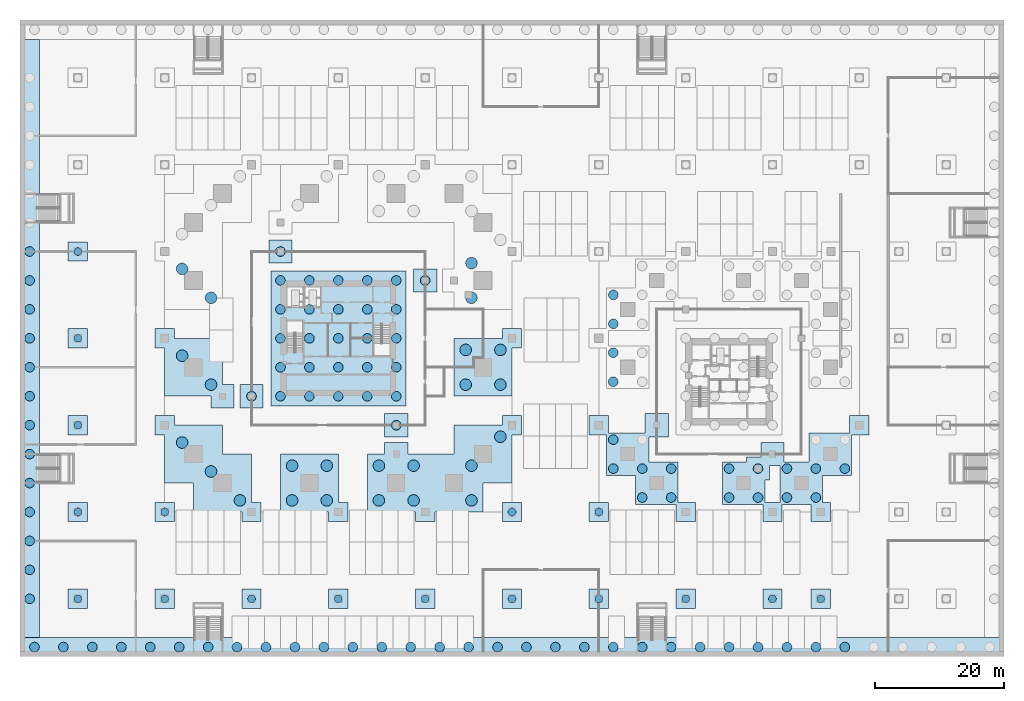
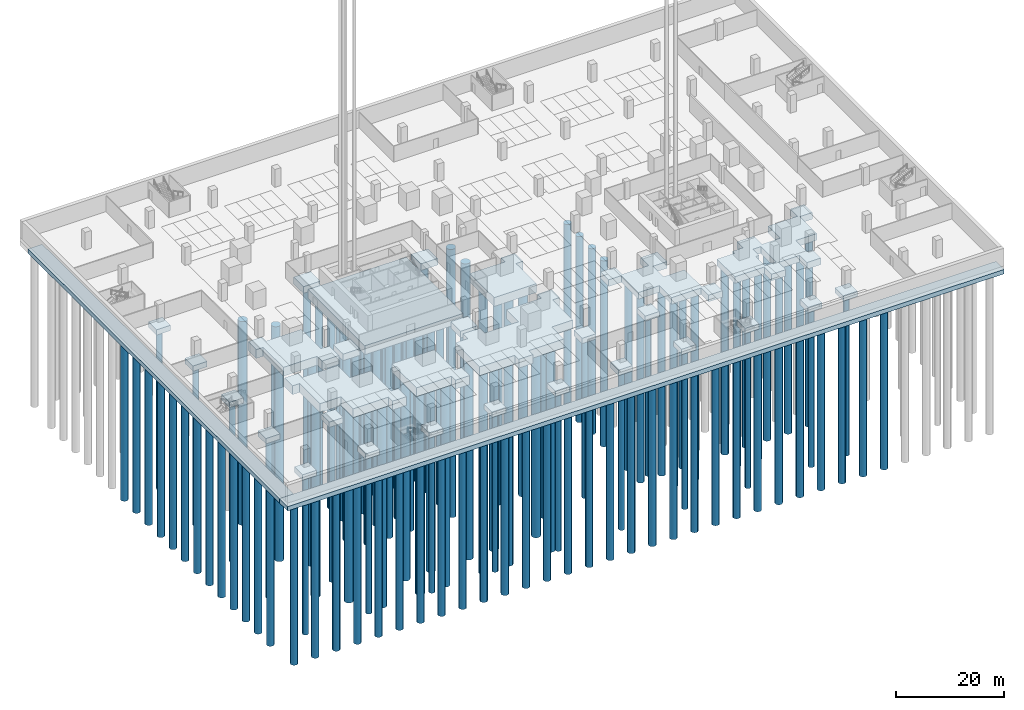
# One storey, part 1 of 40: 131 piles, 31 footings.
"""IFC4 building model written with IfcOpenShell, lengths in metres."""

import ifcopenshell
import ifcopenshell.guid

model = None  # the IFC model being written
_history = None  # IfcOwnerHistory: only IFC2X3 demands one
_inside = {}  # id of a spatial element -> (the spatial element, [elements in it])
_under = {}  # id of a project, library or spatial element -> (it, [spatial elements below it])
_declared = {}  # id of a project -> (the project, [libraries it declares])
_typed = {}  # id of a type object -> (the type object, [elements of that type])
_made_of = {}  # id of a material, layer set ... -> (it, [elements and type objects made of it])


def new_model(schema):
    """Start an empty IFC model of exactly this schema.

    Asked for "IFC4X3", IfcOpenShell would pick the latest addendum, in which some entities
    have other attributes; the version numbers below select the first issue.
    IFC2X3 requires an IfcOwnerHistory on every rooted entity: one is made here for all.
    """
    global model, _history
    if schema == "IFC4X3":
        model = ifcopenshell.file(schema_version=(4, 3, 0, 0))
    else:
        model = ifcopenshell.file(schema=schema)
    _inside.clear()
    _under.clear()
    _declared.clear()
    _typed.clear()
    _made_of.clear()
    _history = None
    if model.schema == "IFC2X3":
        org = make("IfcOrganization", Name="unknown")
        user = make(
            "IfcPersonAndOrganization",
            ThePerson=make("IfcPerson", FamilyName="unknown"),
            TheOrganization=org,
        )
        app = make(
            "IfcApplication",
            ApplicationDeveloper=org,
            Version="unknown",
            ApplicationFullName="unknown",
            ApplicationIdentifier="unknown",
        )
        _history = make(
            "IfcOwnerHistory",
            OwningUser=user,
            OwningApplication=app,
            ChangeAction="ADDED",
            CreationDate=0,
        )
    return model


def make(cls, **values):
    """One entity of the class cls with the attributes given. An attribute that is None is left unset."""
    return model.create_entity(
        cls, **{name: value for name, value in values.items() if value is not None}
    )


def rooted(cls, **values):
    """An entity with a GlobalId (a new one), such as an element, a storey or a relation."""
    return make(cls, GlobalId=ifcopenshell.guid.new(), OwnerHistory=_history, **values)


def si_unit(unit_type, name, prefix=None):
    """IfcSIUnit, for example si_unit("LENGTHUNIT", "METRE", prefix="MILLI")."""
    return make("IfcSIUnit", UnitType=unit_type, Prefix=prefix, Name=name)


def assignment(units):
    """IfcUnitAssignment: the units of a project."""
    return None if units is None else make("IfcUnitAssignment", Units=units)


def point(xyz):
    """IfcCartesianPoint."""
    return None if xyz is None else make("IfcCartesianPoint", Coordinates=xyz)


def direction(xyz):
    """IfcDirection."""
    return None if xyz is None else make("IfcDirection", DirectionRatios=xyz)


def frame(location, z_axis=None, x_axis=None):
    """IfcAxis2Placement3D, a coordinate frame: its origin and axes. An axis left out is left unset."""
    return make(
        "IfcAxis2Placement3D",
        Location=point(location),
        Axis=direction(z_axis),
        RefDirection=direction(x_axis),
    )


def frame_2d(location, x_axis=None):
    """IfcAxis2Placement2D, a coordinate frame in the plane: its origin and x axis."""
    return make(
        "IfcAxis2Placement2D", Location=point(location), RefDirection=direction(x_axis)
    )


def origin():
    """The frame at (0, 0, 0) with its axes left unset."""
    return frame((0.0, 0.0, 0.0))


def origin_2d():
    """The frame at (0, 0) in the plane with its x axis left unset."""
    return frame_2d((0.0, 0.0))


def place(relative_to, where):
    """IfcLocalPlacement: puts the frame where relative to a parent placement (None: the world)."""
    return make(
        "IfcLocalPlacement", PlacementRelTo=relative_to, RelativePlacement=where
    )


def context(
    kind, dimensions, precision=None, world=None, true_north=None, identifier=None
):
    """IfcGeometricRepresentationContext, for example the 3D "Model" context."""
    return make(
        "IfcGeometricRepresentationContext",
        ContextIdentifier=identifier,
        ContextType=kind,
        CoordinateSpaceDimension=dimensions,
        Precision=precision,
        WorldCoordinateSystem=world,
        TrueNorth=true_north,
    )


def subcontext(parent, identifier, kind, view, scale=None):
    """IfcGeometricRepresentationSubContext, for example "Body" below "Model"."""
    return make(
        "IfcGeometricRepresentationSubContext",
        ContextIdentifier=identifier,
        ContextType=kind,
        ParentContext=parent,
        TargetScale=scale,
        TargetView=view,
    )


def project(units=None, contexts=None):
    """IfcProject with its units and contexts."""
    return rooted(
        "IfcProject",
        Name="project",
        RepresentationContexts=contexts,
        UnitsInContext=assignment(units),
    )


def spatial(cls, under=None, at=None, **own):
    """A site, building, storey or space (cls), placed at a placement, below another one or the project."""
    s = rooted(cls, ObjectPlacement=at, **own)
    if under is not None:
        _under.setdefault(under.id(), (under, []))[1].append(s)
    return s


def polyline(points):
    """IfcPolyline through the points."""
    return make("IfcPolyline", Points=[point(p) for p in points])


def profile(cls, at=None, kind="AREA", **sizes):
    """A parametric profile (cls). Its sizes go by their IFC names, for example OverallWidth=200.0."""
    return make(cls, ProfileType=kind, Position=at, **sizes)


def circle(**sizes):
    """IfcCircleProfileDef."""
    return profile("IfcCircleProfileDef", **sizes)


def outline(outer, holes=None, kind="AREA"):
    """IfcArbitraryClosedProfileDef: a profile drawn as a closed curve; with holes, ...WithVoids."""
    if holes is None:
        return make("IfcArbitraryClosedProfileDef", ProfileType=kind, OuterCurve=outer)
    return make(
        "IfcArbitraryProfileDefWithVoids",
        ProfileType=kind,
        OuterCurve=outer,
        InnerCurves=holes,
    )


def extrude(swept, where, along, depth):
    """IfcExtrudedAreaSolid: the profile swept, set in the frame where, extruded along a direction by depth."""
    return make(
        "IfcExtrudedAreaSolid",
        SweptArea=swept,
        Position=where,
        ExtrudedDirection=direction(along),
        Depth=depth,
    )


def shape(context_of_items, identifier, shape_type, items):
    """IfcShapeRepresentation: the items that make up one representation, for example the "Body"."""
    return make(
        "IfcShapeRepresentation",
        ContextOfItems=context_of_items,
        RepresentationIdentifier=identifier,
        RepresentationType=shape_type,
        Items=items,
    )


def material(Name=None, Category=None):
    """IfcMaterial."""
    return make("IfcMaterial", Name=Name, Category=Category)


def layer(
    of_material, thickness, ventilated=None, Name=None, Category=None, Priority=None
):
    """IfcMaterialLayer: one layer of a wall or slab, of a material (None: an air gap)."""
    return make(
        "IfcMaterialLayer",
        Material=of_material,
        LayerThickness=thickness,
        IsVentilated=ventilated,
        Name=Name,
        Category=Category,
        Priority=Priority,
    )


def layer_set(layers, Name=None):
    """IfcMaterialLayerSet."""
    return make("IfcMaterialLayerSet", MaterialLayers=layers, LayerSetName=Name)


def material_profile(
    of_material, cross_section, Name=None, Category=None, Priority=None
):
    """IfcMaterialProfile: a cross section and its material."""
    return make(
        "IfcMaterialProfile",
        Name=Name,
        Material=of_material,
        Profile=cross_section,
        Priority=Priority,
        Category=Category,
    )


def profile_set(profiles, Name=None, composite=None):
    """IfcMaterialProfileSet."""
    return make(
        "IfcMaterialProfileSet",
        Name=Name,
        MaterialProfiles=profiles,
        CompositeProfile=composite,
    )


def made_of(thing, what):
    """Note that an element or type object is made of a material, layer set ...; save() writes the relation."""
    if what is not None:
        _made_of.setdefault(what.id(), (what, []))[1].append(thing)
    return thing


def type_object(cls, material=None, **own):
    """A type object (cls), such as IfcWallType, which elements share."""
    return made_of(rooted(cls, **own), material)


def element(
    cls,
    number,
    at=None,
    inside=None,
    cuts=None,
    type_object=None,
    material=None,
    context=None,
    identifier="Body",
    shape_type=None,
    held_by="IfcProductDefinitionShape",
    body=None,
    shapes=None,
    **own,
):
    """One element of the class cls, such as IfcWall. Its Tag is "e" and its number.

    at: its placement. inside: the storey or other place that contains it. cuts: it is an
    opening in that element (IfcRelVoidsElement). A single representation is given by context,
    identifier, shape_type and body (its items); several are given by shapes. held_by: the class
    of the entity that holds the representations. save() writes the other relations.
    """
    e = rooted(cls, Tag="e%d" % number, ObjectPlacement=at, **own)
    if body is not None:
        shapes = [shape(context, identifier, shape_type, body)]
    if shapes is not None:
        e.Representation = make(held_by, Representations=shapes)
    if inside is not None:
        _inside.setdefault(inside.id(), (inside, []))[1].append(e)
    if cuts is not None:
        rooted(
            "IfcRelVoidsElement", RelatingBuildingElement=cuts, RelatedOpeningElement=e
        )
    if type_object is not None:
        _typed.setdefault(type_object.id(), (type_object, []))[1].append(e)
    return made_of(e, material)


def aggregate(whole, parts):
    """IfcRelAggregates: a whole, such as a stair, and the parts it consists of."""
    return rooted("IfcRelAggregates", RelatingObject=whole, RelatedObjects=parts)


def save(model, path):
    """Write the relations noted so far, then the file.

    IfcRelAggregates (storeys below a building ...), IfcRelContainedInSpatialStructure (elements
    in a storey), IfcRelDefinesByType, IfcRelAssociatesMaterial and IfcRelDeclares: one each for
    every whole, place, type object, material and project.
    """
    for whole, parts in _under.values():
        aggregate(whole, parts)
    for where, things in _inside.values():
        rooted(
            "IfcRelContainedInSpatialStructure",
            RelatedElements=things,
            RelatingStructure=where,
        )
    for kind, things in _typed.values():
        rooted("IfcRelDefinesByType", RelatedObjects=things, RelatingType=kind)
    for what, things in _made_of.values():
        rooted("IfcRelAssociatesMaterial", RelatedObjects=things, RelatingMaterial=what)
    for by, libraries in _declared.values():
        rooted("IfcRelDeclares", RelatingContext=by, RelatedDefinitions=libraries)
    model.write(path)


model = new_model("IFC4")

# Units and contexts
model_context = context("Model", 3, precision=1e-05, world=origin(), true_north=direction((0.0, 1.0)))
body_context = subcontext(model_context, "Body", "Model", "MODEL_VIEW")
ifc_project = project(units=[si_unit("LENGTHUNIT", "METRE"), si_unit("AREAUNIT", "SQUARE_METRE"), si_unit("VOLUMEUNIT", "CUBIC_METRE"), si_unit("PLANEANGLEUNIT", "RADIAN"), si_unit("MASSUNIT", "GRAM", prefix="KILO")], contexts=[model_context])

# Site, building, storey
site_placement = place(None, origin())
site = spatial("IfcSite", under=ifc_project, at=site_placement, CompositionType="ELEMENT")
building_placement = place(site_placement, origin())
building = spatial("IfcBuilding", under=site, at=building_placement, Name="Altepetl Exchange Towers", CompositionType="ELEMENT")
storey_placement = place(building_placement, frame((0.0, 0.0, -8.0)))
storey = spatial("IfcBuildingStorey", under=building, at=storey_placement, Name="B2 Basement parking", CompositionType="ELEMENT", Elevation=-8.0)

# Piles
ifc_material = material(Name="Concrete C35/45", Category="concrete")
ifc_material_profile_1 = material_profile(ifc_material, circle(Radius=0.60009765625, at=origin_2d()), Name="D1200")
ifc_profile_set_1 = profile_set([ifc_material_profile_1], Name="Concrete C35/45")
pile_type_1 = type_object("IfcPileType", Name="Bored pile D1200", PredefinedType="BORED", material=ifc_profile_set_1)
for number, where, z_axis, x_axis, name in (
    (1, (9.0, 9.0, -2.0), (0.0, 0.0, -1.0), (1.0, 0.0, 0.0), "pile:P:B2:c00900090-00"),
    (2, (9.0, 22.5, -2.0), (0.0, 0.0, -1.0), (1.0, 0.0, 0.0), "pile:P:B2:c00900225-00"),
    (3, (9.0, 36.0, -2.0), (0.0, 0.0, -1.0), (1.0, 0.0, 0.0), "pile:P:B2:c00900360-00"),
    (4, (9.0, 49.5, -2.0), (0.0, 0.0, -1.0), (1.0, 0.0, 0.0), "pile:P:B2:c00900495-00"),
    (5, (9.0, 63.0, -2.0), (0.0, 0.0, -1.0), (1.0, 0.0, 0.0), "pile:P:B2:c00900630-00"),
    (6, (22.5, 9.0, -2.0), (0.0, 0.0, -1.0), (1.0, 0.0, 0.0), "pile:P:B2:c02250090-00"),
    (7, (22.5, 22.5, -3.0), (0.0, 0.0, -1.0), (1.0, 0.0, 0.0), "pile:A:B2:c02250225-00"),
    (8, (36.0, 9.0, -2.0), (0.0, 0.0, -1.0), (1.0, 0.0, 0.0), "pile:P:B2:c03600090-00"),
    (9, (49.5, 9.0, -2.0), (0.0, 0.0, -1.0), (1.0, 0.0, 0.0), "pile:P:B2:c04950090-00"),
    (10, (63.0, 9.0, -2.0), (0.0, 0.0, -1.0), (1.0, 0.0, 0.0), "pile:P:B2:c06300090-00"),
    (11, (76.5, 9.0, -2.0), (0.0, 0.0, -1.0), (1.0, 0.0, 0.0), "pile:P:B2:c07650090-00"),
    (12, (76.5, 22.5, -3.0), (0.0, 0.0, -1.0), (1.0, 0.0, 0.0), "pile:A:B2:c07650225-00"),
    (13, (90.0, 9.0, -2.0), (0.0, 0.0, -1.0), (1.0, 0.0, 0.0), "pile:P:B2:c09000090-00"),
    (14, (90.0, 22.5, -2.699951171875), (0.0, 0.0, -1.0), (1.0, 0.0, 0.0), "pile:B:B2:c09000225-00"),
    (15, (103.5, 9.0, -2.0), (0.0, 0.0, -1.0), (1.0, 0.0, 0.0), "pile:P:B2:c10350090-00"),
    (16, (117.0, 9.0, -2.0), (0.0, 0.0, -1.0), (1.0, 0.0, 0.0), "pile:P:B2:c11700090-00"),
    (17, (124.5, 9.0, -2.0), (0.0, 0.0, -1.0), (1.0, 0.0, 0.0), "pile:P:B2:c12450090-00"),
):
    element("IfcPile", number, at=place(storey_placement, frame(where, z_axis=z_axis, x_axis=x_axis)), inside=storey, type_object=pile_type_1, Name=name, PredefinedType="BORED", context=body_context, shape_type="SweptSolid", body=[
        extrude(circle(Radius=0.60009765625, at=origin_2d()), origin(), (0.0, 0.0, 1.0), 36.0),
    ])
ifc_material_profile_2 = material_profile(ifc_material, circle(Radius=0.75, at=origin_2d()), Name="D1500")
ifc_profile_set_2 = profile_set([ifc_material_profile_2], Name="Concrete C35/45")
pile_type_2 = type_object("IfcPileType", Name="Bored pile D1500", PredefinedType="BORED", material=ifc_profile_set_2)
for number, where, z_axis, x_axis, name in (
    (18, (36.0, 40.5, -3.300048828125), (0.0, 0.0, -1.0), (1.0, 0.0, 0.0), "pile:A:B2:c03600405-00"),
    (19, (40.5, 63.0, -3.300048828125), (0.0, 0.0, -1.0), (1.0, 0.0, 0.0), "pile:A:B2:c04050630-00"),
    (20, (58.5, 36.0, -3.300048828125), (0.0, 0.0, -1.0), (1.0, 0.0, 0.0), "pile:A:B2:c05850360-00"),
    (21, (63.0, 58.5, -3.300048828125), (0.0, 0.0, -1.0), (1.0, 0.0, 0.0), "pile:A:B2:c06300585-00"),
    (22, (92.25, 29.25, -3.0), (0.0, 0.0, -1.0), (1.0, 0.0, 0.0), "pile:B:B2:c09000360-00"),
    (23, (92.25, 33.75, -3.0), (0.0, 0.0, -1.0), (1.0, 0.0, 0.0), "pile:B:B2:c09000360-01"),
    (24, (96.75, 24.75, -3.0), (0.0, 0.0, -1.0), (1.0, 0.0, 0.0), "pile:B:B2:c09000360-02"),
    (25, (96.75, 29.25, -3.0), (0.0, 0.0, -1.0), (1.0, 0.0, 0.0), "pile:B:B2:c09000360-03"),
    (26, (101.25, 24.75, -3.0), (0.0, 0.0, -1.0), (1.0, 0.0, 0.0), "pile:B:B2:c09000360-05"),
    (27, (101.25, 29.25, -3.0), (0.0, 0.0, -1.0), (1.0, 0.0, 0.0), "pile:B:B2:c09000360-06"),
    (28, (92.25, 42.75, -3.0), (0.0, 0.0, -1.0), (1.0, 0.0, 0.0), "pile:B:B2:c09000495-00"),
    (29, (92.25, 47.25, -3.0), (0.0, 0.0, -1.0), (1.0, 0.0, 0.0), "pile:B:B2:c09000495-01"),
    (30, (92.25, 51.75, -3.0), (0.0, 0.0, -1.0), (1.0, 0.0, 0.0), "pile:B:B2:c09000495-02"),
    (31, (92.25, 56.25, -3.0), (0.0, 0.0, -1.0), (1.0, 0.0, 0.0), "pile:B:B2:c09000495-03"),
    (32, (110.25, 24.75, -3.0), (0.0, 0.0, -1.0), (1.0, 0.0, 0.0), "pile:B:B2:c11250270-00"),
    (33, (110.25, 29.25, -3.0), (0.0, 0.0, -1.0), (1.0, 0.0, 0.0), "pile:B:B2:c11250270-01"),
    (34, (114.75, 24.75, -3.0), (0.0, 0.0, -1.0), (1.0, 0.0, 0.0), "pile:B:B2:c11250270-02"),
    (35, (114.75, 29.25, -3.0), (0.0, 0.0, -1.0), (1.0, 0.0, 0.0), "pile:B:B2:c11250270-03"),
    (36, (119.25, 24.75, -3.0), (0.0, 0.0, -1.0), (1.0, 0.0, 0.0), "pile:B:B2:c11250270-04"),
    (37, (119.25, 29.25, -3.0), (0.0, 0.0, -1.0), (1.0, 0.0, 0.0), "pile:B:B2:c11250270-05"),
    (38, (123.75, 24.75, -3.0), (0.0, 0.0, -1.0), (1.0, 0.0, 0.0), "pile:B:B2:c11250270-06"),
    (39, (123.75, 29.25, -3.0), (0.0, 0.0, -1.0), (1.0, 0.0, 0.0), "pile:B:B2:c11250270-07"),
    (40, (128.25, 29.25, -3.0), (0.0, 0.0, -1.0), (1.0, 0.0, 0.0), "pile:B:B2:c11250270-09"),
):
    element("IfcPile", number, at=place(storey_placement, frame(where, z_axis=z_axis, x_axis=x_axis)), inside=storey, type_object=pile_type_2, Name=name, PredefinedType="BORED", context=body_context, shape_type="SweptSolid", body=[
        extrude(circle(Radius=0.75, at=origin_2d()), origin(), (0.0, 0.0, 1.0), 42.0),
    ])
for number, where, z_axis, x_axis, name in (
    (41, (40.5, 40.5, -3.800048828125), (0.0, 0.0, -1.0), (1.0, 0.0, 0.0), "pile:A:B2:core-00"),
    (42, (40.5, 45.0, -3.800048828125), (0.0, 0.0, -1.0), (1.0, 0.0, 0.0), "pile:A:B2:core-01"),
    (43, (40.5, 49.5, -3.800048828125), (0.0, 0.0, -1.0), (1.0, 0.0, 0.0), "pile:A:B2:core-02"),
    (44, (40.5, 54.0, -3.800048828125), (0.0, 0.0, -1.0), (1.0, 0.0, 0.0), "pile:A:B2:core-03"),
    (45, (40.5, 58.5, -3.800048828125), (0.0, 0.0, -1.0), (1.0, 0.0, 0.0), "pile:A:B2:core-04"),
    (46, (45.0, 40.5, -3.800048828125), (0.0, 0.0, -1.0), (1.0, 0.0, 0.0), "pile:A:B2:core-05"),
    (47, (45.0, 45.0, -3.800048828125), (0.0, 0.0, -1.0), (1.0, 0.0, 0.0), "pile:A:B2:core-06"),
    (48, (45.0, 49.5, -3.800048828125), (0.0, 0.0, -1.0), (1.0, 0.0, 0.0), "pile:A:B2:core-07"),
    (49, (45.0, 54.0, -3.800048828125), (0.0, 0.0, -1.0), (1.0, 0.0, 0.0), "pile:A:B2:core-08"),
    (50, (45.0, 58.5, -3.800048828125), (0.0, 0.0, -1.0), (1.0, 0.0, 0.0), "pile:A:B2:core-09"),
    (51, (49.5, 40.5, -3.800048828125), (0.0, 0.0, -1.0), (1.0, 0.0, 0.0), "pile:A:B2:core-10"),
    (52, (49.5, 45.0, -3.800048828125), (0.0, 0.0, -1.0), (1.0, 0.0, 0.0), "pile:A:B2:core-11"),
    (53, (49.5, 49.5, -3.800048828125), (0.0, 0.0, -1.0), (1.0, 0.0, 0.0), "pile:A:B2:core-12"),
    (54, (49.5, 54.0, -3.800048828125), (0.0, 0.0, -1.0), (1.0, 0.0, 0.0), "pile:A:B2:core-13"),
    (55, (49.5, 58.5, -3.800048828125), (0.0, 0.0, -1.0), (1.0, 0.0, 0.0), "pile:A:B2:core-14"),
    (56, (54.0, 40.5, -3.800048828125), (0.0, 0.0, -1.0), (1.0, 0.0, 0.0), "pile:A:B2:core-15"),
    (57, (54.0, 45.0, -3.800048828125), (0.0, 0.0, -1.0), (1.0, 0.0, 0.0), "pile:A:B2:core-16"),
    (58, (54.0, 49.5, -3.800048828125), (0.0, 0.0, -1.0), (1.0, 0.0, 0.0), "pile:A:B2:core-17"),
    (59, (54.0, 54.0, -3.800048828125), (0.0, 0.0, -1.0), (1.0, 0.0, 0.0), "pile:A:B2:core-18"),
    (60, (54.0, 58.5, -3.800048828125), (0.0, 0.0, -1.0), (1.0, 0.0, 0.0), "pile:A:B2:core-19"),
    (61, (58.5, 40.5, -3.800048828125), (0.0, 0.0, -1.0), (1.0, 0.0, 0.0), "pile:A:B2:core-20"),
    (62, (58.5, 45.0, -3.800048828125), (0.0, 0.0, -1.0), (1.0, 0.0, 0.0), "pile:A:B2:core-21"),
    (63, (58.5, 49.5, -3.800048828125), (0.0, 0.0, -1.0), (1.0, 0.0, 0.0), "pile:A:B2:core-22"),
    (64, (58.5, 54.0, -3.800048828125), (0.0, 0.0, -1.0), (1.0, 0.0, 0.0), "pile:A:B2:core-23"),
    (65, (58.5, 58.5, -3.800048828125), (0.0, 0.0, -1.0), (1.0, 0.0, 0.0), "pile:A:B2:core-24"),
):
    element("IfcPile", number, at=place(storey_placement, frame(where, z_axis=z_axis, x_axis=x_axis)), inside=storey, type_object=pile_type_2, Name=name, PredefinedType="BORED", context=body_context, shape_type="SweptSolid", body=[
        extrude(circle(Radius=0.75, at=origin_2d()), origin(), (0.0, 0.0, 1.0), 44.0),
    ])
for number, where, z_axis, x_axis, name in (
    (66, (2.25, 1.5, -1.800048828125), (0.0, 0.0, -1.0), (1.0, 0.0, 0.0), "pile:P:B2:wallS-00"),
    (67, (6.75, 1.5, -1.800048828125), (0.0, 0.0, -1.0), (1.0, 0.0, 0.0), "pile:P:B2:wallS-01"),
    (68, (11.25, 1.5, -1.800048828125), (0.0, 0.0, -1.0), (1.0, 0.0, 0.0), "pile:P:B2:wallS-02"),
    (69, (15.75, 1.5, -1.800048828125), (0.0, 0.0, -1.0), (1.0, 0.0, 0.0), "pile:P:B2:wallS-03"),
    (70, (20.25, 1.5, -1.800048828125), (0.0, 0.0, -1.0), (1.0, 0.0, 0.0), "pile:P:B2:wallS-04"),
    (71, (24.75, 1.5, -1.800048828125), (0.0, 0.0, -1.0), (1.0, 0.0, 0.0), "pile:P:B2:wallS-05"),
    (72, (29.25, 1.5, -1.800048828125), (0.0, 0.0, -1.0), (1.0, 0.0, 0.0), "pile:P:B2:wallS-06"),
    (73, (33.75, 1.5, -1.800048828125), (0.0, 0.0, -1.0), (1.0, 0.0, 0.0), "pile:P:B2:wallS-07"),
    (74, (38.25, 1.5, -1.800048828125), (0.0, 0.0, -1.0), (1.0, 0.0, 0.0), "pile:P:B2:wallS-08"),
    (75, (42.75, 1.5, -1.800048828125), (0.0, 0.0, -1.0), (1.0, 0.0, 0.0), "pile:P:B2:wallS-09"),
    (76, (47.25, 1.5, -1.800048828125), (0.0, 0.0, -1.0), (1.0, 0.0, 0.0), "pile:P:B2:wallS-10"),
    (77, (51.75, 1.5, -1.800048828125), (0.0, 0.0, -1.0), (1.0, 0.0, 0.0), "pile:P:B2:wallS-11"),
    (78, (56.25, 1.5, -1.800048828125), (0.0, 0.0, -1.0), (1.0, 0.0, 0.0), "pile:P:B2:wallS-12"),
    (79, (60.75, 1.5, -1.800048828125), (0.0, 0.0, -1.0), (1.0, 0.0, 0.0), "pile:P:B2:wallS-13"),
    (80, (65.25, 1.5, -1.800048828125), (0.0, 0.0, -1.0), (1.0, 0.0, 0.0), "pile:P:B2:wallS-14"),
    (81, (69.75, 1.5, -1.800048828125), (0.0, 0.0, -1.0), (1.0, 0.0, 0.0), "pile:P:B2:wallS-15"),
    (82, (74.25, 1.5, -1.800048828125), (0.0, 0.0, -1.0), (1.0, 0.0, 0.0), "pile:P:B2:wallS-16"),
    (83, (78.75, 1.5, -1.800048828125), (0.0, 0.0, -1.0), (1.0, 0.0, 0.0), "pile:P:B2:wallS-17"),
    (84, (83.25, 1.5, -1.800048828125), (0.0, 0.0, -1.0), (1.0, 0.0, 0.0), "pile:P:B2:wallS-18"),
    (85, (87.75, 1.5, -1.800048828125), (0.0, 0.0, -1.0), (1.0, 0.0, 0.0), "pile:P:B2:wallS-19"),
    (86, (92.25, 1.5, -1.800048828125), (0.0, 0.0, -1.0), (1.0, 0.0, 0.0), "pile:P:B2:wallS-20"),
    (87, (96.75, 1.5, -1.800048828125), (0.0, 0.0, -1.0), (1.0, 0.0, 0.0), "pile:P:B2:wallS-21"),
    (88, (101.25, 1.5, -1.800048828125), (0.0, 0.0, -1.0), (1.0, 0.0, 0.0), "pile:P:B2:wallS-22"),
    (89, (105.75, 1.5, -1.800048828125), (0.0, 0.0, -1.0), (1.0, 0.0, 0.0), "pile:P:B2:wallS-23"),
    (90, (110.25, 1.5, -1.800048828125), (0.0, 0.0, -1.0), (1.0, 0.0, 0.0), "pile:P:B2:wallS-24"),
    (91, (114.75, 1.5, -1.800048828125), (0.0, 0.0, -1.0), (1.0, 0.0, 0.0), "pile:P:B2:wallS-25"),
    (92, (119.25, 1.5, -1.800048828125), (0.0, 0.0, -1.0), (1.0, 0.0, 0.0), "pile:P:B2:wallS-26"),
    (93, (123.75, 1.5, -1.800048828125), (0.0, 0.0, -1.0), (1.0, 0.0, 0.0), "pile:P:B2:wallS-27"),
    (94, (128.25, 1.5, -1.800048828125), (0.0, 0.0, -1.0), (1.0, 0.0, 0.0), "pile:P:B2:wallS-28"),
    (95, (1.5, 9.0, -1.800048828125), (0.0, 0.0, -1.0), (1.0, 0.0, 0.0), "pile:P:B2:wallW-01"),
    (96, (1.5, 13.5, -1.800048828125), (0.0, 0.0, -1.0), (1.0, 0.0, 0.0), "pile:P:B2:wallW-02"),
    (97, (1.5, 18.0, -1.800048828125), (0.0, 0.0, -1.0), (1.0, 0.0, 0.0), "pile:P:B2:wallW-03"),
    (98, (1.5, 22.5, -1.800048828125), (0.0, 0.0, -1.0), (1.0, 0.0, 0.0), "pile:P:B2:wallW-04"),
    (99, (1.5, 27.0, -1.800048828125), (0.0, 0.0, -1.0), (1.0, 0.0, 0.0), "pile:P:B2:wallW-05"),
    (100, (1.5, 31.5, -1.800048828125), (0.0, 0.0, -1.0), (1.0, 0.0, 0.0), "pile:P:B2:wallW-06"),
    (101, (1.5, 36.0, -1.800048828125), (0.0, 0.0, -1.0), (1.0, 0.0, 0.0), "pile:P:B2:wallW-07"),
    (102, (1.5, 40.5, -1.800048828125), (0.0, 0.0, -1.0), (1.0, 0.0, 0.0), "pile:P:B2:wallW-08"),
    (103, (1.5, 45.0, -1.800048828125), (0.0, 0.0, -1.0), (1.0, 0.0, 0.0), "pile:P:B2:wallW-09"),
    (104, (1.5, 49.5, -1.800048828125), (0.0, 0.0, -1.0), (1.0, 0.0, 0.0), "pile:P:B2:wallW-10"),
    (105, (1.5, 54.0, -1.800048828125), (0.0, 0.0, -1.0), (1.0, 0.0, 0.0), "pile:P:B2:wallW-11"),
    (106, (1.5, 58.5, -1.800048828125), (0.0, 0.0, -1.0), (1.0, 0.0, 0.0), "pile:P:B2:wallW-12"),
    (107, (1.5, 63.0, -1.800048828125), (0.0, 0.0, -1.0), (1.0, 0.0, 0.0), "pile:P:B2:wallW-13"),
):
    element("IfcPile", number, at=place(storey_placement, frame(where, z_axis=z_axis, x_axis=x_axis)), inside=storey, type_object=pile_type_2, Name=name, PredefinedType="BORED", context=body_context, shape_type="SweptSolid", body=[
        extrude(circle(Radius=0.75, at=origin_2d()), origin(), (0.0, 0.0, 1.0), 36.0),
    ])
ifc_material_profile_3 = material_profile(ifc_material, circle(Radius=0.89990234375, at=origin_2d()), Name="D1800")
ifc_profile_set_3 = profile_set([ifc_material_profile_3], Name="Concrete C35/45")
pile_type_3 = type_object("IfcPileType", Name="Bored pile D1800", PredefinedType="BORED", material=ifc_profile_set_3)
for number, where, z_axis, x_axis, name in (
    (108, (25.199951171875, 33.300048828125, -3.800048828125), (0.0, 0.0, -1.0), (1.0, 0.0, 0.0), "pile:A:B2:c02250360-00"),
    (109, (29.699951171875, 28.800048828125, -3.800048828125), (0.0, 0.0, -1.0), (1.0, 0.0, 0.0), "pile:A:B2:c02250360-01"),
    (110, (34.199951171875, 24.300048828125, -3.800048828125), (0.0, 0.0, -1.0), (1.0, 0.0, 0.0), "pile:A:B2:c02250360-02"),
    (111, (25.199951171875, 46.800048828125, -3.800048828125), (0.0, 0.0, -1.0), (1.0, 0.0, 0.0), "pile:A:B2:c02250495-00"),
    (112, (29.699951171875, 42.300048828125, -3.800048828125), (0.0, 0.0, -1.0), (1.0, 0.0, 0.0), "pile:A:B2:c02250495-01"),
    (113, (25.199951171875, 60.300048828125, -3.800048828125), (0.0, 0.0, -1.0), (1.0, 0.0, 0.0), "pile:A:B2:c02250630-00"),
    (114, (29.699951171875, 55.800048828125, -3.800048828125), (0.0, 0.0, -1.0), (1.0, 0.0, 0.0), "pile:A:B2:c02250630-02"),
    (115, (42.300048828125, 24.300048828125, -3.800048828125), (0.0, 0.0, -1.0), (1.0, 0.0, 0.0), "pile:A:B2:c04500270-00"),
    (116, (42.300048828125, 29.699951171875, -3.800048828125), (0.0, 0.0, -1.0), (1.0, 0.0, 0.0), "pile:A:B2:c04500270-01"),
    (117, (47.699951171875, 24.300048828125, -3.800048828125), (0.0, 0.0, -1.0), (1.0, 0.0, 0.0), "pile:A:B2:c04500270-02"),
    (118, (47.699951171875, 29.699951171875, -3.800048828125), (0.0, 0.0, -1.0), (1.0, 0.0, 0.0), "pile:A:B2:c04500270-03"),
    (119, (55.800048828125, 24.300048828125, -3.800048828125), (0.0, 0.0, -1.0), (1.0, 0.0, 0.0), "pile:A:B2:c05850270-00"),
    (120, (55.800048828125, 29.699951171875, -3.800048828125), (0.0, 0.0, -1.0), (1.0, 0.0, 0.0), "pile:A:B2:c05850270-01"),
    (121, (61.199951171875, 24.300048828125, -3.800048828125), (0.0, 0.0, -1.0), (1.0, 0.0, 0.0), "pile:A:B2:c05850270-02"),
    (122, (61.199951171875, 29.699951171875, -3.800048828125), (0.0, 0.0, -1.0), (1.0, 0.0, 0.0), "pile:A:B2:c05850270-03"),
    (123, (70.199951171875, 24.300048828125, -3.800048828125), (0.0, 0.0, -1.0), (1.0, 0.0, 0.0), "pile:A:B2:c05850270-04"),
    (124, (70.199951171875, 29.699951171875, -3.800048828125), (0.0, 0.0, -1.0), (1.0, 0.0, 0.0), "pile:A:B2:c05850270-05"),
    (125, (74.699951171875, 34.199951171875, -3.800048828125), (0.0, 0.0, -1.0), (1.0, 0.0, 0.0), "pile:A:B2:c05850270-06"),
    (126, (70.199951171875, 55.800048828125, -3.800048828125), (0.0, 0.0, -1.0), (1.0, 0.0, 0.0), "pile:A:B2:c05850720-04"),
    (127, (70.199951171875, 61.199951171875, -3.800048828125), (0.0, 0.0, -1.0), (1.0, 0.0, 0.0), "pile:A:B2:c05850720-05"),
    (128, (69.300048828125, 42.300048828125, -3.800048828125), (0.0, 0.0, -1.0), (1.0, 0.0, 0.0), "pile:A:B2:c07200450-00"),
    (129, (69.300048828125, 47.699951171875, -3.800048828125), (0.0, 0.0, -1.0), (1.0, 0.0, 0.0), "pile:A:B2:c07200450-01"),
    (130, (74.699951171875, 42.300048828125, -3.800048828125), (0.0, 0.0, -1.0), (1.0, 0.0, 0.0), "pile:A:B2:c07200450-02"),
    (131, (74.699951171875, 47.699951171875, -3.800048828125), (0.0, 0.0, -1.0), (1.0, 0.0, 0.0), "pile:A:B2:c07200450-03"),
):
    element("IfcPile", number, at=place(storey_placement, frame(where, z_axis=z_axis, x_axis=x_axis)), inside=storey, type_object=pile_type_3, Name=name, PredefinedType="BORED", context=body_context, shape_type="SweptSolid", body=[
        extrude(circle(Radius=0.89990234375, at=origin_2d()), origin(), (0.0, 0.0, 1.0), 46.0),
    ])

# Footings
ifc_layer_1 = layer(ifc_material, 1.0)
ifc_layer_set_1 = layer_set([ifc_layer_1], Name="Concrete C35/45")
footing_type_1 = type_object("IfcFootingType", Name="Pile cap 1000", PredefinedType="PILE_CAP", material=ifc_layer_set_1)
footing_1_placement = place(storey_placement, frame((0.0, 0.0, -1.800048828125)))
element("IfcFooting", 132, at=footing_1_placement, inside=storey, type_object=footing_type_1, Name="ftg:P:B2:wallS", PredefinedType="PILE_CAP", context=body_context, shape_type="SweptSolid", body=[
    extrude(outline(polyline([(153.0, 0.0), (153.0, 3.0), (0.0, 3.0), (0.0, 0.0), (153.0, 0.0)])), origin(), (0.0, 0.0, 1.0), 1.0),
])
footing_2_placement = place(storey_placement, frame((0.0, 0.0, -1.800048828125)))
element("IfcFooting", 133, at=footing_2_placement, inside=storey, type_object=footing_type_1, Name="ftg:P:B2:wallW", PredefinedType="PILE_CAP", context=body_context, shape_type="SweptSolid", body=[
    extrude(outline(polyline([(3.0, 3.0), (3.0, 96.0), (0.0, 96.0), (0.0, 3.0), (3.0, 3.0)])), origin(), (0.0, 0.0, 1.0), 1.0),
])
ifc_layer_2 = layer(ifc_material, 1.199951171875)
ifc_layer_set_2 = layer_set([ifc_layer_2], Name="Concrete C35/45")
footing_type_2 = type_object("IfcFootingType", Name="Pile cap 1200", PredefinedType="PILE_CAP", material=ifc_layer_set_2)
footing_3_placement = place(storey_placement, frame((0.0, 0.0, -2.0)))
element("IfcFooting", 134, at=footing_3_placement, inside=storey, type_object=footing_type_2, Name="ftg:P:B2:c00900090", PredefinedType="PILE_CAP", context=body_context, shape_type="SweptSolid", body=[
    extrude(outline(polyline([(10.5, 7.5), (10.5, 10.5), (7.5, 10.5), (7.5, 7.5), (10.5, 7.5)])), origin(), (0.0, 0.0, 1.0), 1.199951171875),
])
footing_4_placement = place(storey_placement, frame((0.0, 0.0, -2.0)))
element("IfcFooting", 135, at=footing_4_placement, inside=storey, type_object=footing_type_2, Name="ftg:P:B2:c00900225", PredefinedType="PILE_CAP", context=body_context, shape_type="SweptSolid", body=[
    extrude(outline(polyline([(10.5, 21.0), (10.5, 24.0), (7.5, 24.0), (7.5, 21.0), (10.5, 21.0)])), origin(), (0.0, 0.0, 1.0), 1.199951171875),
])
footing_5_placement = place(storey_placement, frame((0.0, 0.0, -2.0)))
element("IfcFooting", 136, at=footing_5_placement, inside=storey, type_object=footing_type_2, Name="ftg:P:B2:c00900360", PredefinedType="PILE_CAP", context=body_context, shape_type="SweptSolid", body=[
    extrude(outline(polyline([(10.5, 34.5), (10.5, 37.5), (7.5, 37.5), (7.5, 34.5), (10.5, 34.5)])), origin(), (0.0, 0.0, 1.0), 1.199951171875),
])
footing_6_placement = place(storey_placement, frame((0.0, 0.0, -2.0)))
element("IfcFooting", 137, at=footing_6_placement, inside=storey, type_object=footing_type_2, Name="ftg:P:B2:c00900495", PredefinedType="PILE_CAP", context=body_context, shape_type="SweptSolid", body=[
    extrude(outline(polyline([(10.5, 48.0), (10.5, 51.0), (7.5, 51.0), (7.5, 48.0), (10.5, 48.0)])), origin(), (0.0, 0.0, 1.0), 1.199951171875),
])
footing_7_placement = place(storey_placement, frame((0.0, 0.0, -2.0)))
element("IfcFooting", 138, at=footing_7_placement, inside=storey, type_object=footing_type_2, Name="ftg:P:B2:c00900630", PredefinedType="PILE_CAP", context=body_context, shape_type="SweptSolid", body=[
    extrude(outline(polyline([(10.5, 61.5), (10.5, 64.5), (7.5, 64.5), (7.5, 61.5), (10.5, 61.5)])), origin(), (0.0, 0.0, 1.0), 1.199951171875),
])
footing_8_placement = place(storey_placement, frame((0.0, 0.0, -2.0)))
element("IfcFooting", 139, at=footing_8_placement, inside=storey, type_object=footing_type_2, Name="ftg:P:B2:c02250090", PredefinedType="PILE_CAP", context=body_context, shape_type="SweptSolid", body=[
    extrude(outline(polyline([(24.0, 7.5), (24.0, 10.5), (21.0, 10.5), (21.0, 7.5), (24.0, 7.5)])), origin(), (0.0, 0.0, 1.0), 1.199951171875),
])
footing_9_placement = place(storey_placement, frame((0.0, 0.0, -3.0)))
element("IfcFooting", 140, at=footing_9_placement, inside=storey, type_object=footing_type_2, Name="ftg:A:B2:c02250225", PredefinedType="PILE_CAP", context=body_context, shape_type="SweptSolid", body=[
    extrude(outline(polyline([(24.0, 21.0), (24.0, 24.0), (21.0, 24.0), (21.0, 21.0), (24.0, 21.0)])), origin(), (0.0, 0.0, 1.0), 1.199951171875),
])
footing_10_placement = place(storey_placement, frame((0.0, 0.0, -2.0)))
element("IfcFooting", 141, at=footing_10_placement, inside=storey, type_object=footing_type_2, Name="ftg:P:B2:c03600090", PredefinedType="PILE_CAP", context=body_context, shape_type="SweptSolid", body=[
    extrude(outline(polyline([(37.5, 7.5), (37.5, 10.5), (34.5, 10.5), (34.5, 7.5), (37.5, 7.5)])), origin(), (0.0, 0.0, 1.0), 1.199951171875),
])
footing_11_placement = place(storey_placement, frame((0.0, 0.0, -2.0)))
element("IfcFooting", 142, at=footing_11_placement, inside=storey, type_object=footing_type_2, Name="ftg:P:B2:c04950090", PredefinedType="PILE_CAP", context=body_context, shape_type="SweptSolid", body=[
    extrude(outline(polyline([(51.0, 7.5), (51.0, 10.5), (48.0, 10.5), (48.0, 7.5), (51.0, 7.5)])), origin(), (0.0, 0.0, 1.0), 1.199951171875),
])
footing_12_placement = place(storey_placement, frame((0.0, 0.0, -2.0)))
element("IfcFooting", 143, at=footing_12_placement, inside=storey, type_object=footing_type_2, Name="ftg:P:B2:c06300090", PredefinedType="PILE_CAP", context=body_context, shape_type="SweptSolid", body=[
    extrude(outline(polyline([(64.5, 7.5), (64.5, 10.5), (61.5, 10.5), (61.5, 7.5), (64.5, 7.5)])), origin(), (0.0, 0.0, 1.0), 1.199951171875),
])
footing_13_placement = place(storey_placement, frame((0.0, 0.0, -2.0)))
element("IfcFooting", 144, at=footing_13_placement, inside=storey, type_object=footing_type_2, Name="ftg:P:B2:c07650090", PredefinedType="PILE_CAP", context=body_context, shape_type="SweptSolid", body=[
    extrude(outline(polyline([(78.0, 7.5), (78.0, 10.5), (75.0, 10.5), (75.0, 7.5), (78.0, 7.5)])), origin(), (0.0, 0.0, 1.0), 1.199951171875),
])
footing_14_placement = place(storey_placement, frame((0.0, 0.0, -3.0)))
element("IfcFooting", 145, at=footing_14_placement, inside=storey, type_object=footing_type_2, Name="ftg:A:B2:c07650225", PredefinedType="PILE_CAP", context=body_context, shape_type="SweptSolid", body=[
    extrude(outline(polyline([(78.0, 21.0), (78.0, 24.0), (75.0, 24.0), (75.0, 21.0), (78.0, 21.0)])), origin(), (0.0, 0.0, 1.0), 1.199951171875),
])
footing_15_placement = place(storey_placement, frame((0.0, 0.0, -2.0)))
element("IfcFooting", 146, at=footing_15_placement, inside=storey, type_object=footing_type_2, Name="ftg:P:B2:c09000090", PredefinedType="PILE_CAP", context=body_context, shape_type="SweptSolid", body=[
    extrude(outline(polyline([(91.5, 7.5), (91.5, 10.5), (88.5, 10.5), (88.5, 7.5), (91.5, 7.5)])), origin(), (0.0, 0.0, 1.0), 1.199951171875),
])
footing_16_placement = place(storey_placement, frame((0.0, 0.0, -2.699951171875)))
element("IfcFooting", 147, at=footing_16_placement, inside=storey, type_object=footing_type_2, Name="ftg:B:B2:c09000225", PredefinedType="PILE_CAP", context=body_context, shape_type="SweptSolid", body=[
    extrude(outline(polyline([(91.5, 21.0), (91.5, 24.0), (88.5, 24.0), (88.5, 21.0), (91.5, 21.0)])), origin(), (0.0, 0.0, 1.0), 1.199951171875),
])
footing_17_placement = place(storey_placement, frame((0.0, 0.0, -2.0)))
element("IfcFooting", 148, at=footing_17_placement, inside=storey, type_object=footing_type_2, Name="ftg:P:B2:c10350090", PredefinedType="PILE_CAP", context=body_context, shape_type="SweptSolid", body=[
    extrude(outline(polyline([(105.0, 7.5), (105.0, 10.5), (102.0, 10.5), (102.0, 7.5), (105.0, 7.5)])), origin(), (0.0, 0.0, 1.0), 1.199951171875),
])
footing_18_placement = place(storey_placement, frame((0.0, 0.0, -2.0)))
element("IfcFooting", 149, at=footing_18_placement, inside=storey, type_object=footing_type_2, Name="ftg:P:B2:c11700090", PredefinedType="PILE_CAP", context=body_context, shape_type="SweptSolid", body=[
    extrude(outline(polyline([(118.5, 7.5), (118.5, 10.5), (115.5, 10.5), (115.5, 7.5), (118.5, 7.5)])), origin(), (0.0, 0.0, 1.0), 1.199951171875),
])
footing_19_placement = place(storey_placement, frame((0.0, 0.0, -2.0)))
element("IfcFooting", 150, at=footing_19_placement, inside=storey, type_object=footing_type_2, Name="ftg:P:B2:c12450090", PredefinedType="PILE_CAP", context=body_context, shape_type="SweptSolid", body=[
    extrude(outline(polyline([(126.0, 7.5), (126.0, 10.5), (123.0, 10.5), (123.0, 7.5), (126.0, 7.5)])), origin(), (0.0, 0.0, 1.0), 1.199951171875),
])
ifc_layer_3 = layer(ifc_material, 1.5)
ifc_layer_set_3 = layer_set([ifc_layer_3], Name="Concrete C35/45")
footing_type_3 = type_object("IfcFootingType", Name="Pile cap 1500", PredefinedType="PILE_CAP", material=ifc_layer_set_3)
footing_20_placement = place(storey_placement, frame((0.0, 0.0, -3.300048828125)))
element("IfcFooting", 151, at=footing_20_placement, inside=storey, type_object=footing_type_3, Name="ftg:A:B2:c03600405", PredefinedType="PILE_CAP", context=body_context, shape_type="SweptSolid", body=[
    extrude(outline(polyline([(37.800048828125, 38.699951171875), (37.800048828125, 42.300048828125), (34.199951171875, 42.300048828125), (34.199951171875, 38.699951171875), (37.800048828125, 38.699951171875)])), origin(), (0.0, 0.0, 1.0), 1.5),
])
footing_21_placement = place(storey_placement, frame((0.0, 0.0, -3.300048828125)))
element("IfcFooting", 152, at=footing_21_placement, inside=storey, type_object=footing_type_3, Name="ftg:A:B2:c04050630", PredefinedType="PILE_CAP", context=body_context, shape_type="SweptSolid", body=[
    extrude(outline(polyline([(42.300048828125, 61.199951171875), (42.300048828125, 64.800048828125), (38.699951171875, 64.800048828125), (38.699951171875, 61.199951171875), (42.300048828125, 61.199951171875)])), origin(), (0.0, 0.0, 1.0), 1.5),
])
footing_22_placement = place(storey_placement, frame((0.0, 0.0, -3.300048828125)))
element("IfcFooting", 153, at=footing_22_placement, inside=storey, type_object=footing_type_3, Name="ftg:A:B2:c05850360", PredefinedType="PILE_CAP", context=body_context, shape_type="SweptSolid", body=[
    extrude(outline(polyline([(60.300048828125, 34.199951171875), (60.300048828125, 37.800048828125), (56.699951171875, 37.800048828125), (56.699951171875, 34.199951171875), (60.300048828125, 34.199951171875)])), origin(), (0.0, 0.0, 1.0), 1.5),
])
footing_23_placement = place(storey_placement, frame((0.0, 0.0, -3.300048828125)))
element("IfcFooting", 154, at=footing_23_placement, inside=storey, type_object=footing_type_3, Name="ftg:A:B2:c06300585", PredefinedType="PILE_CAP", context=body_context, shape_type="SweptSolid", body=[
    extrude(outline(polyline([(64.800048828125, 56.699951171875), (64.800048828125, 60.300048828125), (61.199951171875, 60.300048828125), (61.199951171875, 56.699951171875), (64.800048828125, 56.699951171875)])), origin(), (0.0, 0.0, 1.0), 1.5),
])
footing_24_placement = place(storey_placement, frame((0.0, 0.0, -3.0)))
element("IfcFooting", 155, at=footing_24_placement, inside=storey, type_object=footing_type_3, Name="ftg:B:B2:c09000360", PredefinedType="PILE_CAP", context=body_context, shape_type="SweptSolid", body=[
    extrude(outline(polyline([(105.0, 21.0), (105.0, 24.0), (102.300048828125, 24.0), (102.300048828125, 30.300048828125), (97.800048828125, 30.300048828125), (97.800048828125, 34.199951171875), (100.800048828125, 34.199951171875), (100.800048828125, 37.800048828125), (97.199951171875, 37.800048828125), (97.199951171875, 34.800048828125), (91.5, 34.800048828125), (91.5, 37.5), (88.5, 37.5), (88.5, 34.5), (91.199951171875, 34.5), (91.199951171875, 28.199951171875), (95.699951171875, 28.199951171875), (95.699951171875, 23.699951171875), (102.0, 23.699951171875), (102.0, 21.0), (105.0, 21.0)])), origin(), (0.0, 0.0, 1.0), 1.5),
])
footing_25_placement = place(storey_placement, frame((0.0, 0.0, -3.0)))
element("IfcFooting", 156, at=footing_25_placement, inside=storey, type_object=footing_type_3, Name="ftg:B:B2:c11250270", PredefinedType="PILE_CAP", context=body_context, shape_type="SweptSolid", body=[
    extrude(outline(polyline([(109.199951171875, 23.699951171875), (115.5, 23.699951171875), (115.5, 21.0), (118.5, 21.0), (118.5, 23.699951171875), (123.0, 23.699951171875), (123.0, 21.0), (126.0, 21.0), (126.0, 24.0), (124.800048828125, 24.0), (124.800048828125, 28.199951171875), (129.300048828125, 28.199951171875), (129.300048828125, 34.5), (132.0, 34.5), (132.0, 37.5), (129.0, 37.5), (129.0, 34.800048828125), (122.699951171875, 34.800048828125), (122.699951171875, 30.300048828125), (118.800048828125, 30.300048828125), (118.800048828125, 33.300048828125), (115.199951171875, 33.300048828125), (115.199951171875, 31.050048828125), (112.949951171875, 31.050048828125), (112.949951171875, 30.300048828125), (109.199951171875, 30.300048828125), (109.199951171875, 23.699951171875)]), holes=[polyline([(115.800048828125, 24.0), (115.800048828125, 27.449951171875), (116.550048828125, 27.449951171875), (116.550048828125, 29.699951171875), (118.199951171875, 29.699951171875), (118.199951171875, 24.0), (115.800048828125, 24.0)])]), origin(), (0.0, 0.0, 1.0), 1.5),
])
ifc_layer_4 = layer(ifc_material, 2.0)
ifc_layer_set_4 = layer_set([ifc_layer_4], Name="Concrete C35/45")
footing_type_4 = type_object("IfcFootingType", Name="Pile cap 2000", PredefinedType="PILE_CAP", material=ifc_layer_set_4)
footing_26_placement = place(storey_placement, frame((0.0, 0.0, -3.800048828125)))
element("IfcFooting", 157, at=footing_26_placement, inside=storey, type_object=footing_type_4, Name="ftg:A:B2:c02250360", PredefinedType="PILE_CAP", context=body_context, shape_type="SweptSolid", body=[
    extrude(outline(polyline([(37.5, 21.0), (37.5, 24.0), (36.0, 24.0), (36.0, 31.5), (31.5, 31.5), (31.5, 36.0), (24.0, 36.0), (24.0, 37.5), (21.0, 37.5), (21.0, 34.5), (22.5, 34.5), (22.5, 27.0), (27.0, 27.0), (27.0, 22.5), (34.5, 22.5), (34.5, 21.0), (37.5, 21.0)])), origin(), (0.0, 0.0, 1.0), 2.0),
])
footing_27_placement = place(storey_placement, frame((0.0, 0.0, -3.800048828125)))
element("IfcFooting", 158, at=footing_27_placement, inside=storey, type_object=footing_type_4, Name="ftg:A:B2:c02250495", PredefinedType="PILE_CAP", context=body_context, shape_type="SweptSolid", body=[
    extrude(outline(polyline([(33.300048828125, 42.300048828125), (31.5, 42.300048828125), (31.5, 49.5), (24.0, 49.5), (24.0, 51.0), (21.0, 51.0), (21.0, 48.0), (22.5, 48.0), (22.5, 40.5), (29.699951171875, 40.5), (29.699951171875, 38.699951171875), (33.300048828125, 38.699951171875), (33.300048828125, 42.300048828125)])), origin(), (0.0, 0.0, 1.0), 2.0),
])
footing_28_placement = place(storey_placement, frame((0.0, 0.0, -3.800048828125)))
element("IfcFooting", 159, at=footing_28_placement, inside=storey, type_object=footing_type_4, Name="ftg:A:B2:c04500270", PredefinedType="PILE_CAP", context=body_context, shape_type="SweptSolid", body=[
    extrude(outline(polyline([(51.0, 24.0), (49.5, 24.0), (49.5, 31.5), (40.5, 31.5), (40.5, 22.5), (48.0, 22.5), (48.0, 21.0), (51.0, 21.0), (51.0, 24.0)])), origin(), (0.0, 0.0, 1.0), 2.0),
])
footing_29_placement = place(storey_placement, frame((0.0, 0.0, -3.800048828125)))
element("IfcFooting", 160, at=footing_29_placement, inside=storey, type_object=footing_type_4, Name="ftg:A:B2:c05850270", PredefinedType="PILE_CAP", context=body_context, shape_type="SweptSolid", body=[
    extrude(outline(polyline([(61.5, 21.0), (64.5, 21.0), (64.5, 22.5), (72.0, 22.5), (72.0, 27.0), (76.5, 27.0), (76.5, 34.5), (78.0, 34.5), (78.0, 37.5), (75.0, 37.5), (75.0, 36.0), (67.5, 36.0), (67.5, 31.5), (63.0, 31.5), (60.300048828125, 31.5), (60.300048828125, 33.300048828125), (56.699951171875, 33.300048828125), (56.699951171875, 31.5), (54.0, 31.5), (54.0, 22.5), (61.5, 22.5), (61.5, 21.0)])), origin(), (0.0, 0.0, 1.0), 2.0),
])
footing_30_placement = place(storey_placement, frame((0.0, 0.0, -3.800048828125)))
element("IfcFooting", 161, at=footing_30_placement, inside=storey, type_object=footing_type_4, Name="ftg:A:B2:c07200450", PredefinedType="PILE_CAP", context=body_context, shape_type="SweptSolid", body=[
    extrude(outline(polyline([(76.5, 40.5), (76.5, 48.0), (78.0, 48.0), (78.0, 51.0), (75.0, 51.0), (75.0, 49.5), (67.5, 49.5), (67.5, 40.5), (76.5, 40.5)])), origin(), (0.0, 0.0, 1.0), 2.0),
])
footing_31_placement = place(storey_placement, frame((0.0, 0.0, -3.800048828125)))
element("IfcFooting", 162, at=footing_31_placement, inside=storey, type_object=footing_type_4, Name="ftg:A:B2:core", PredefinedType="PILE_CAP", context=body_context, shape_type="SweptSolid", body=[
    extrude(outline(polyline([(60.0, 39.0), (60.0, 60.0), (39.0, 60.0), (39.0, 39.0), (60.0, 39.0)])), origin(), (0.0, 0.0, 1.0), 2.0),
])

save(model, "model.ifc")
